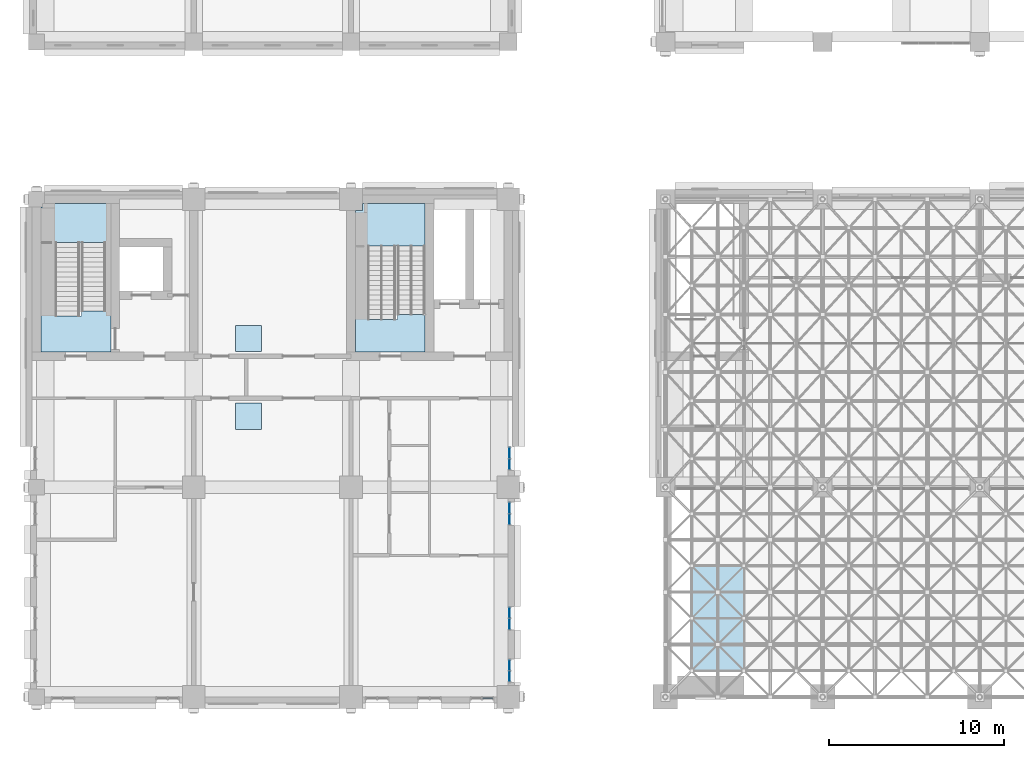
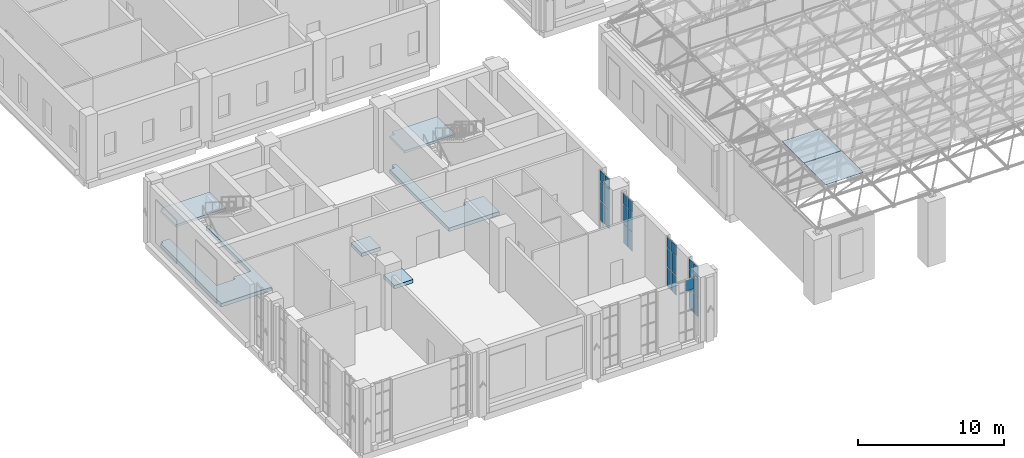
# One storey, part 20 of 53: 27 plates, 6 slabs, 7 elements without a shape of their own.
"""IFC4 building model written with IfcOpenShell, lengths in metres."""

from ifc_helpers import new_model, si_unit, direction, frame, origin, origin_2d, place, context, subcontext, project, spatial, polyline, rectangle, outline, extrude, material, layer, layer_set, type_object, element, aggregate, save


model = new_model("IFC4")

# Units and contexts
model_context = context("Model", 3, precision=1e-05, world=origin(), true_north=direction((0.0, 1.0)))
body_context = subcontext(model_context, "Body", "Model", "MODEL_VIEW")
ifc_project = project(units=[si_unit("LENGTHUNIT", "METRE"), si_unit("AREAUNIT", "SQUARE_METRE"), si_unit("VOLUMEUNIT", "CUBIC_METRE"), si_unit("PLANEANGLEUNIT", "RADIAN"), si_unit("MASSUNIT", "GRAM", prefix="KILO")], contexts=[model_context])

# Site, building, storey
site_placement = place(None, origin())
site = spatial("IfcSite", under=ifc_project, at=site_placement, CompositionType="ELEMENT")
building_placement = place(site_placement, origin())
building = spatial("IfcBuilding", under=site, at=building_placement, Name="Aurelan Courthouse", CompositionType="ELEMENT")
storey_placement = place(building_placement, frame((0.0, 0.0, 12.0)))
storey = spatial("IfcBuildingStorey", under=building, at=storey_placement, Name="L02", CompositionType="ELEMENT", Elevation=12.0)

# Curtain wall, plate
ifc_material_1 = material(Name="Bronze-finished aluminium and glass", Category="aluminium")
ifc_layer_1 = layer(ifc_material_1, 0.14990234375)
ifc_layer_set_1 = layer_set([ifc_layer_1], Name="Bronze-finished aluminium and glass")
curtain_wall_type = type_object("IfcCurtainWallType", Name="Curtain wall 1350 x 5150", PredefinedType="NOTDEFINED", material=ifc_layer_set_1)
curtain_wall_1_placement = place(storey_placement, origin())
curtain_wall_1 = element("IfcCurtainWall", 1, at=curtain_wall_1_placement, inside=storey, type_object=curtain_wall_type, Name="Curtain wall CW-V5-L02-S05", PredefinedType="NOTDEFINED")
ifc_material_2 = material(Name="Limestone cladding", Category="masonry")
ifc_layer_2 = layer(ifc_material_2, 0.0400390625, Name="Facing")
ifc_material_3 = material(Name="Bronze sheet cladding", Category="bronze")
ifc_layer_3 = layer(ifc_material_3, 0.02001953125, Name="Back sheet")
ifc_layer_set_2 = layer_set([ifc_layer_2, ifc_layer_3], Name="Limestone cladding")
plate_type_1 = type_object("IfcPlateType", Name="Limestone spandrel panel with bronze back sheet 60", PredefinedType="CURTAIN_PANEL", material=ifc_layer_set_2)
plate_1_placement = place(storey_placement, frame((25.822509765625, -0.074951171875, 4.22998046875), z_axis=(0.0, 0.0, 1.0), x_axis=(1.0, 0.0, 0.0)))
plate_1 = element("IfcPlate", 2, at=plate_1_placement, type_object=plate_type_1, Name="CW-V5-L02-S05 spandrel panel 2.4", PredefinedType="CURTAIN_PANEL", context=body_context, shape_type="SweptSolid", body=[
    extrude(rectangle(XDim=0.5849609375, YDim=0.06005859375, at=origin_2d()), origin(), (0.0, 0.0, 1.0), 0.860107421875),
])
aggregate(curtain_wall_1, [plate_1])

# Curtain wall, plates
curtain_wall_2_placement = place(storey_placement, origin())
curtain_wall_2 = element("IfcCurtainWall", 3, at=curtain_wall_2_placement, inside=storey, type_object=curtain_wall_type, Name="Curtain wall CW-V5-L02-E01", PredefinedType="NOTDEFINED")
plate_2_placement = place(storey_placement, frame((27.074951171875, 1.177490234375, 4.22998046875), z_axis=(0.0, 0.0, 1.0), x_axis=(0.0, 1.0, 0.0)))
plate_2 = element("IfcPlate", 4, at=plate_2_placement, type_object=plate_type_1, Name="CW-V5-L02-E01 spandrel panel 1.4", PredefinedType="CURTAIN_PANEL", context=body_context, shape_type="SweptSolid", body=[
    extrude(rectangle(XDim=0.5849609375, YDim=0.06005859375, at=origin_2d()), origin(), (0.0, 0.0, 1.0), 0.860107421875),
])
plate_3_placement = place(storey_placement, frame((27.074951171875, 1.822509765625, 4.22998046875), z_axis=(0.0, 0.0, 1.0), x_axis=(0.0, 1.0, 0.0)))
plate_3 = element("IfcPlate", 5, at=plate_3_placement, type_object=plate_type_1, Name="CW-V5-L02-E01 spandrel panel 2.4", PredefinedType="CURTAIN_PANEL", context=body_context, shape_type="SweptSolid", body=[
    extrude(rectangle(XDim=0.5849609375, YDim=0.06005859375, at=origin_2d()), origin(), (0.0, 0.0, 1.0), 0.860107421875),
])

curtain_wall_3_placement = place(storey_placement, origin())
curtain_wall_3 = element("IfcCurtainWall", 6, at=curtain_wall_3_placement, inside=storey, type_object=curtain_wall_type, Name="Curtain wall CW-V5-L02-E02", PredefinedType="NOTDEFINED")
plate_4_placement = place(storey_placement, frame((27.074951171875, 4.177490234375, 4.22998046875), z_axis=(0.0, 0.0, 1.0), x_axis=(0.0, 1.0, 0.0)))
plate_4 = element("IfcPlate", 7, at=plate_4_placement, type_object=plate_type_1, Name="CW-V5-L02-E02 spandrel panel 1.4", PredefinedType="CURTAIN_PANEL", context=body_context, shape_type="SweptSolid", body=[
    extrude(rectangle(XDim=0.5849609375, YDim=0.06005859375, at=origin_2d()), origin(), (0.0, 0.0, 1.0), 0.860107421875),
])
plate_5_placement = place(storey_placement, frame((27.074951171875, 4.822509765625, 4.22998046875), z_axis=(0.0, 0.0, 1.0), x_axis=(0.0, 1.0, 0.0)))
plate_5 = element("IfcPlate", 8, at=plate_5_placement, type_object=plate_type_1, Name="CW-V5-L02-E02 spandrel panel 2.4", PredefinedType="CURTAIN_PANEL", context=body_context, shape_type="SweptSolid", body=[
    extrude(rectangle(XDim=0.5849609375, YDim=0.06005859375, at=origin_2d()), origin(), (0.0, 0.0, 1.0), 0.860107421875),
])

curtain_wall_4_placement = place(storey_placement, origin())
curtain_wall_4 = element("IfcCurtainWall", 9, at=curtain_wall_4_placement, inside=storey, type_object=curtain_wall_type, Name="Curtain wall CW-V5-L02-E03", PredefinedType="NOTDEFINED")
plate_6_placement = place(storey_placement, frame((27.074951171875, 10.177490234375, 4.22998046875), z_axis=(0.0, 0.0, 1.0), x_axis=(0.0, 1.0, 0.0)))
plate_6 = element("IfcPlate", 10, at=plate_6_placement, type_object=plate_type_1, Name="CW-V5-L02-E03 spandrel panel 1.4", PredefinedType="CURTAIN_PANEL", context=body_context, shape_type="SweptSolid", body=[
    extrude(rectangle(XDim=0.5849609375, YDim=0.06005859375, at=origin_2d()), origin(), (0.0, 0.0, 1.0), 0.860107421875),
])
plate_7_placement = place(storey_placement, frame((27.074951171875, 10.822509765625, 4.22998046875), z_axis=(0.0, 0.0, 1.0), x_axis=(0.0, 1.0, 0.0)))
plate_7 = element("IfcPlate", 11, at=plate_7_placement, type_object=plate_type_1, Name="CW-V5-L02-E03 spandrel panel 2.4", PredefinedType="CURTAIN_PANEL", context=body_context, shape_type="SweptSolid", body=[
    extrude(rectangle(XDim=0.5849609375, YDim=0.06005859375, at=origin_2d()), origin(), (0.0, 0.0, 1.0), 0.860107421875),
])

curtain_wall_5_placement = place(storey_placement, origin())
curtain_wall_5 = element("IfcCurtainWall", 12, at=curtain_wall_5_placement, inside=storey, type_object=curtain_wall_type, Name="Curtain wall CW-V5-L02-E04", PredefinedType="NOTDEFINED")
plate_8_placement = place(storey_placement, frame((27.074951171875, 13.327392578125, 4.22998046875), z_axis=(0.0, 0.0, 1.0), x_axis=(0.0, 1.0, 0.0)))
plate_8 = element("IfcPlate", 13, at=plate_8_placement, type_object=plate_type_1, Name="CW-V5-L02-E04 spandrel panel 1.4", PredefinedType="CURTAIN_PANEL", context=body_context, shape_type="SweptSolid", body=[
    extrude(rectangle(XDim=0.5849609375, YDim=0.06005859375, at=origin_2d()), origin(), (0.0, 0.0, 1.0), 0.860107421875),
])
plate_9_placement = place(storey_placement, frame((27.074951171875, 13.972412109375, 4.22998046875), z_axis=(0.0, 0.0, 1.0), x_axis=(0.0, 1.0, 0.0)))
plate_9 = element("IfcPlate", 14, at=plate_9_placement, type_object=plate_type_1, Name="CW-V5-L02-E04 spandrel panel 2.4", PredefinedType="CURTAIN_PANEL", context=body_context, shape_type="SweptSolid", body=[
    extrude(rectangle(XDim=0.5849609375, YDim=0.06005859375, at=origin_2d()), origin(), (0.0, 0.0, 1.0), 0.860107421875),
])

# Plates
ifc_material_4 = material(Name="Zinc standing-seam cladding")
ifc_layer_4 = layer(ifc_material_4, 0.031982421875)
ifc_layer_set_3 = layer_set([ifc_layer_4], Name="Zinc standing-seam cladding")
plate_type_2 = type_object("IfcPlateType", Name="Space frame metal panel 2980 x 2980", PredefinedType="SHEET", material=ifc_layer_set_3)
for number, where, z_axis, x_axis, name in (
    (15, (39.0, 3.0, 7.919921875), (0.0, 0.0, 1.0), (1.0, 0.0, 0.0), "Roof panel SFM-1"),
    (16, (39.0, 6.0, 7.919921875), (0.0, 0.0, 1.0), (1.0, 0.0, 0.0), "Roof panel SFM-9"),
):
    element("IfcPlate", number, at=place(storey_placement, frame(where, z_axis=z_axis, x_axis=x_axis)), inside=storey, type_object=plate_type_2, Name=name, PredefinedType="SHEET", context=body_context, shape_type="SweptSolid", body=[
        extrude(rectangle(XDim=2.97998046875, YDim=2.97998046875, at=origin_2d()), origin(), (0.0, 0.0, 1.0), 0.031982421875),
    ])

# Stair, slab
ifc_material_5 = material(Name="Concrete C30", Category="concrete")
stair_type_1 = type_object("IfcStairType", Name="Half-turn stair 1600 wide 31 risers", PredefinedType="HALF_TURN_STAIR", material=ifc_material_5)
stair_1_placement = place(storey_placement, origin())
stair_1 = element("IfcStair", 17, at=stair_1_placement, inside=storey, type_object=stair_type_1, Name="Stair ST-5A-L02", PredefinedType="HALF_TURN_STAIR")
ifc_layer_5 = layer(ifc_material_5, 0.300048828125)
ifc_layer_set_4 = layer_set([ifc_layer_5], Name="Concrete C30")
slab_type_1 = type_object("IfcSlabType", Name="Stair floor landing 300 thick", PredefinedType="LANDING", material=ifc_layer_set_4)
slab_1_placement = place(storey_placement, frame((0.0, 0.0, -0.300048828125)))
slab_1 = element("IfcSlab", 18, at=slab_1_placement, type_object=slab_type_1, Name="Stair ST-5A-L02 floor landing", PredefinedType="LANDING", context=body_context, shape_type="SweptSolid", body=[
    extrude(outline(polyline([(18.949951171875, 21.611083984375), (20.64990234375, 21.611083984375), (20.64990234375, 21.89111328125), (22.25, 21.89111328125), (22.25, 21.611083984375), (22.25, 21.60888671875), (22.25, 19.75), (18.25, 19.75), (18.25, 27.85009765625), (18.64990234375, 27.85009765625), (18.64990234375, 28.25), (18.949951171875, 28.25), (18.949951171875, 21.611083984375)])), origin(), (0.0, 0.0, 1.0), 0.300048828125),
])

stair_type_2 = type_object("IfcStairType", Name="Half-turn stair 1400 wide 31 risers", PredefinedType="HALF_TURN_STAIR", material=ifc_material_5)
stair_2_placement = place(storey_placement, origin())
stair_2 = element("IfcStair", 19, at=stair_2_placement, inside=storey, type_object=stair_type_2, Name="Stair ST-5B-L02", PredefinedType="HALF_TURN_STAIR")
slab_2_placement = place(storey_placement, frame((0.0, 0.0, -0.300048828125)))
slab_2 = element("IfcSlab", 20, at=slab_2_placement, type_object=slab_type_1, Name="Stair ST-5B-L02 floor landing", PredefinedType="LANDING", context=body_context, shape_type="SweptSolid", body=[
    extrude(outline(polyline([(1.06005859375, 28.25), (1.06005859375, 21.81103515625), (2.56005859375, 21.81103515625), (2.56005859375, 22.091064453125), (3.9599609375, 22.091064453125), (3.9599609375, 28.25), (4.25, 28.25), (4.25, 19.75), (0.409912109375, 19.75), (0.39990234375, 19.75), (0.25, 19.75), (0.25, 28.050048828125), (0.449951171875, 28.050048828125), (0.449951171875, 28.25), (1.06005859375, 28.25)])), origin(), (0.0, 0.0, 1.0), 0.300048828125),
])

# Slab
ifc_layer_6 = layer(ifc_material_5, 0.199951171875)
ifc_layer_set_5 = layer_set([ifc_layer_6], Name="Concrete C30")
slab_type_2 = type_object("IfcSlabType", Name="Stair half landing 200 thick", PredefinedType="LANDING", material=ifc_layer_set_5)
slab_3_placement = place(storey_placement, frame((0.0, 0.0, 2.587158203125)))
slab_3 = element("IfcSlab", 21, at=slab_3_placement, type_object=slab_type_2, Name="Stair ST-5A-L02 half landing", PredefinedType="LANDING", context=body_context, shape_type="SweptSolid", body=[
    extrude(outline(polyline([(18.25, 27.85009765625), (18.64990234375, 27.85009765625), (18.64990234375, 28.25), (22.25, 28.25), (22.25, 25.81005859375), (18.25, 25.81005859375), (18.25, 27.85009765625)])), origin(), (0.0, 0.0, 1.0), 0.199951171875),
])

aggregate(stair_1, [slab_3, slab_1])

slab_4_placement = place(storey_placement, frame((0.0, 0.0, 2.587158203125)))
slab_4 = element("IfcSlab", 22, at=slab_4_placement, type_object=slab_type_2, Name="Stair ST-5B-L02 half landing", PredefinedType="LANDING", context=body_context, shape_type="SweptSolid", body=[
    extrude(outline(polyline([(4.25, 28.25), (4.25, 26.010009765625), (0.25, 26.010009765625), (0.25, 28.050048828125), (0.449951171875, 28.050048828125), (0.449951171875, 28.25), (4.25, 28.25)])), origin(), (0.0, 0.0, 1.0), 0.199951171875),
])

aggregate(stair_2, [slab_4, slab_2])

# Plate
ifc_material_6 = material(Name="Laminated low-emissivity glass", Category="glass")
ifc_layer_7 = layer(ifc_material_6, 0.028076171875)
ifc_layer_set_6 = layer_set([ifc_layer_7], Name="Laminated low-emissivity glass")
plate_type_3 = type_object("IfcPlateType", Name="Vision glass panel 28", PredefinedType="CURTAIN_PANEL", material=ifc_layer_set_6)
plate_10_placement = place(storey_placement, frame((27.074951171875, 1.177490234375, 0.93017578125), z_axis=(0.0, 0.0, 1.0), x_axis=(0.0, 1.0, 0.0)))
plate_10 = element("IfcPlate", 23, at=plate_10_placement, type_object=plate_type_3, Name="CW-V5-L02-E01 vision panel 1.2", PredefinedType="CURTAIN_PANEL", context=body_context, shape_type="SweptSolid", body=[
    extrude(rectangle(XDim=0.5849609375, YDim=0.028076171875, at=origin_2d()), origin(), (0.0, 0.0, 1.0), 1.590087890625),
])

plate_11_placement = place(storey_placement, frame((27.074951171875, 1.177490234375, 2.580078125), z_axis=(0.0, 0.0, 1.0), x_axis=(0.0, 1.0, 0.0)))
plate_11 = element("IfcPlate", 24, at=plate_11_placement, type_object=plate_type_3, Name="CW-V5-L02-E01 vision panel 1.3", PredefinedType="CURTAIN_PANEL", context=body_context, shape_type="SweptSolid", body=[
    extrude(rectangle(XDim=0.5849609375, YDim=0.028076171875, at=origin_2d()), origin(), (0.0, 0.0, 1.0), 1.590087890625),
])

plate_12_placement = place(storey_placement, frame((27.074951171875, 1.822509765625, 0.93017578125), z_axis=(0.0, 0.0, 1.0), x_axis=(0.0, 1.0, 0.0)))
plate_12 = element("IfcPlate", 25, at=plate_12_placement, type_object=plate_type_3, Name="CW-V5-L02-E01 vision panel 2.2", PredefinedType="CURTAIN_PANEL", context=body_context, shape_type="SweptSolid", body=[
    extrude(rectangle(XDim=0.5849609375, YDim=0.028076171875, at=origin_2d()), origin(), (0.0, 0.0, 1.0), 1.590087890625),
])

plate_13_placement = place(storey_placement, frame((27.074951171875, 1.822509765625, 2.580078125), z_axis=(0.0, 0.0, 1.0), x_axis=(0.0, 1.0, 0.0)))
plate_13 = element("IfcPlate", 26, at=plate_13_placement, type_object=plate_type_3, Name="CW-V5-L02-E01 vision panel 2.3", PredefinedType="CURTAIN_PANEL", context=body_context, shape_type="SweptSolid", body=[
    extrude(rectangle(XDim=0.5849609375, YDim=0.028076171875, at=origin_2d()), origin(), (0.0, 0.0, 1.0), 1.590087890625),
])

aggregate(curtain_wall_2, [plate_10, plate_11, plate_2, plate_12, plate_13, plate_3])

plate_14_placement = place(storey_placement, frame((27.074951171875, 4.177490234375, 0.93017578125), z_axis=(0.0, 0.0, 1.0), x_axis=(0.0, 1.0, 0.0)))
plate_14 = element("IfcPlate", 27, at=plate_14_placement, type_object=plate_type_3, Name="CW-V5-L02-E02 vision panel 1.2", PredefinedType="CURTAIN_PANEL", context=body_context, shape_type="SweptSolid", body=[
    extrude(rectangle(XDim=0.5849609375, YDim=0.028076171875, at=origin_2d()), origin(), (0.0, 0.0, 1.0), 1.590087890625),
])

plate_15_placement = place(storey_placement, frame((27.074951171875, 4.177490234375, 2.580078125), z_axis=(0.0, 0.0, 1.0), x_axis=(0.0, 1.0, 0.0)))
plate_15 = element("IfcPlate", 28, at=plate_15_placement, type_object=plate_type_3, Name="CW-V5-L02-E02 vision panel 1.3", PredefinedType="CURTAIN_PANEL", context=body_context, shape_type="SweptSolid", body=[
    extrude(rectangle(XDim=0.5849609375, YDim=0.028076171875, at=origin_2d()), origin(), (0.0, 0.0, 1.0), 1.590087890625),
])

plate_16_placement = place(storey_placement, frame((27.074951171875, 4.822509765625, 0.93017578125), z_axis=(0.0, 0.0, 1.0), x_axis=(0.0, 1.0, 0.0)))
plate_16 = element("IfcPlate", 29, at=plate_16_placement, type_object=plate_type_3, Name="CW-V5-L02-E02 vision panel 2.2", PredefinedType="CURTAIN_PANEL", context=body_context, shape_type="SweptSolid", body=[
    extrude(rectangle(XDim=0.5849609375, YDim=0.028076171875, at=origin_2d()), origin(), (0.0, 0.0, 1.0), 1.590087890625),
])

plate_17_placement = place(storey_placement, frame((27.074951171875, 4.822509765625, 2.580078125), z_axis=(0.0, 0.0, 1.0), x_axis=(0.0, 1.0, 0.0)))
plate_17 = element("IfcPlate", 30, at=plate_17_placement, type_object=plate_type_3, Name="CW-V5-L02-E02 vision panel 2.3", PredefinedType="CURTAIN_PANEL", context=body_context, shape_type="SweptSolid", body=[
    extrude(rectangle(XDim=0.5849609375, YDim=0.028076171875, at=origin_2d()), origin(), (0.0, 0.0, 1.0), 1.590087890625),
])

aggregate(curtain_wall_3, [plate_14, plate_15, plate_4, plate_16, plate_17, plate_5])

plate_18_placement = place(storey_placement, frame((27.074951171875, 10.177490234375, 0.93017578125), z_axis=(0.0, 0.0, 1.0), x_axis=(0.0, 1.0, 0.0)))
plate_18 = element("IfcPlate", 31, at=plate_18_placement, type_object=plate_type_3, Name="CW-V5-L02-E03 vision panel 1.2", PredefinedType="CURTAIN_PANEL", context=body_context, shape_type="SweptSolid", body=[
    extrude(rectangle(XDim=0.5849609375, YDim=0.028076171875, at=origin_2d()), origin(), (0.0, 0.0, 1.0), 1.590087890625),
])

plate_19_placement = place(storey_placement, frame((27.074951171875, 10.177490234375, 2.580078125), z_axis=(0.0, 0.0, 1.0), x_axis=(0.0, 1.0, 0.0)))
plate_19 = element("IfcPlate", 32, at=plate_19_placement, type_object=plate_type_3, Name="CW-V5-L02-E03 vision panel 1.3", PredefinedType="CURTAIN_PANEL", context=body_context, shape_type="SweptSolid", body=[
    extrude(rectangle(XDim=0.5849609375, YDim=0.028076171875, at=origin_2d()), origin(), (0.0, 0.0, 1.0), 1.590087890625),
])

plate_20_placement = place(storey_placement, frame((27.074951171875, 10.822509765625, 0.93017578125), z_axis=(0.0, 0.0, 1.0), x_axis=(0.0, 1.0, 0.0)))
plate_20 = element("IfcPlate", 33, at=plate_20_placement, type_object=plate_type_3, Name="CW-V5-L02-E03 vision panel 2.2", PredefinedType="CURTAIN_PANEL", context=body_context, shape_type="SweptSolid", body=[
    extrude(rectangle(XDim=0.5849609375, YDim=0.028076171875, at=origin_2d()), origin(), (0.0, 0.0, 1.0), 1.590087890625),
])

plate_21_placement = place(storey_placement, frame((27.074951171875, 10.822509765625, 2.580078125), z_axis=(0.0, 0.0, 1.0), x_axis=(0.0, 1.0, 0.0)))
plate_21 = element("IfcPlate", 34, at=plate_21_placement, type_object=plate_type_3, Name="CW-V5-L02-E03 vision panel 2.3", PredefinedType="CURTAIN_PANEL", context=body_context, shape_type="SweptSolid", body=[
    extrude(rectangle(XDim=0.5849609375, YDim=0.028076171875, at=origin_2d()), origin(), (0.0, 0.0, 1.0), 1.590087890625),
])

aggregate(curtain_wall_4, [plate_18, plate_19, plate_6, plate_20, plate_21, plate_7])

plate_22_placement = place(storey_placement, frame((27.074951171875, 13.327392578125, 0.93017578125), z_axis=(0.0, 0.0, 1.0), x_axis=(0.0, 1.0, 0.0)))
plate_22 = element("IfcPlate", 35, at=plate_22_placement, type_object=plate_type_3, Name="CW-V5-L02-E04 vision panel 1.2", PredefinedType="CURTAIN_PANEL", context=body_context, shape_type="SweptSolid", body=[
    extrude(rectangle(XDim=0.5849609375, YDim=0.028076171875, at=origin_2d()), origin(), (0.0, 0.0, 1.0), 1.590087890625),
])

plate_23_placement = place(storey_placement, frame((27.074951171875, 13.327392578125, 2.580078125), z_axis=(0.0, 0.0, 1.0), x_axis=(0.0, 1.0, 0.0)))
plate_23 = element("IfcPlate", 36, at=plate_23_placement, type_object=plate_type_3, Name="CW-V5-L02-E04 vision panel 1.3", PredefinedType="CURTAIN_PANEL", context=body_context, shape_type="SweptSolid", body=[
    extrude(rectangle(XDim=0.5849609375, YDim=0.028076171875, at=origin_2d()), origin(), (0.0, 0.0, 1.0), 1.590087890625),
])

plate_24_placement = place(storey_placement, frame((27.074951171875, 13.972412109375, 0.93017578125), z_axis=(0.0, 0.0, 1.0), x_axis=(0.0, 1.0, 0.0)))
plate_24 = element("IfcPlate", 37, at=plate_24_placement, type_object=plate_type_3, Name="CW-V5-L02-E04 vision panel 2.2", PredefinedType="CURTAIN_PANEL", context=body_context, shape_type="SweptSolid", body=[
    extrude(rectangle(XDim=0.5849609375, YDim=0.028076171875, at=origin_2d()), origin(), (0.0, 0.0, 1.0), 1.590087890625),
])

plate_25_placement = place(storey_placement, frame((27.074951171875, 13.972412109375, 2.580078125), z_axis=(0.0, 0.0, 1.0), x_axis=(0.0, 1.0, 0.0)))
plate_25 = element("IfcPlate", 38, at=plate_25_placement, type_object=plate_type_3, Name="CW-V5-L02-E04 vision panel 2.3", PredefinedType="CURTAIN_PANEL", context=body_context, shape_type="SweptSolid", body=[
    extrude(rectangle(XDim=0.5849609375, YDim=0.028076171875, at=origin_2d()), origin(), (0.0, 0.0, 1.0), 1.590087890625),
])

aggregate(curtain_wall_5, [plate_22, plate_23, plate_8, plate_24, plate_25, plate_9])

# Slabs
ifc_layer_8 = layer(ifc_material_5, 0.300048828125)
ifc_layer_set_7 = layer_set([ifc_layer_8], Name="Concrete C30")
slab_type_3 = type_object("IfcSlabType", Name="Witness dais 300", PredefinedType="FLOOR", material=ifc_layer_set_7)
slab_5_placement = place(storey_placement, origin())
element("IfcSlab", 39, at=slab_5_placement, inside=storey, type_object=slab_type_3, Name="Witness dais Civil Courtroom 5.02.01", PredefinedType="FLOOR", context=body_context, shape_type="SweptSolid", body=[
    extrude(outline(polyline([(11.375, 15.324951171875), (12.875, 15.324951171875), (12.875, 16.824951171875), (11.375, 16.824951171875), (11.375, 15.324951171875)])), origin(), (0.0, 0.0, 1.0), 0.300048828125),
])
slab_6_placement = place(storey_placement, origin())
element("IfcSlab", 40, at=slab_6_placement, inside=storey, type_object=slab_type_3, Name="Witness dais Civil Hearing Courtroom 5.02.01", PredefinedType="FLOOR", context=body_context, shape_type="SweptSolid", body=[
    extrude(outline(polyline([(11.375, 19.77490234375), (12.875, 19.77490234375), (12.875, 21.27490234375), (11.375, 21.27490234375), (11.375, 19.77490234375)])), origin(), (0.0, 0.0, 1.0), 0.300048828125),
])

save(model, "model.ifc")
